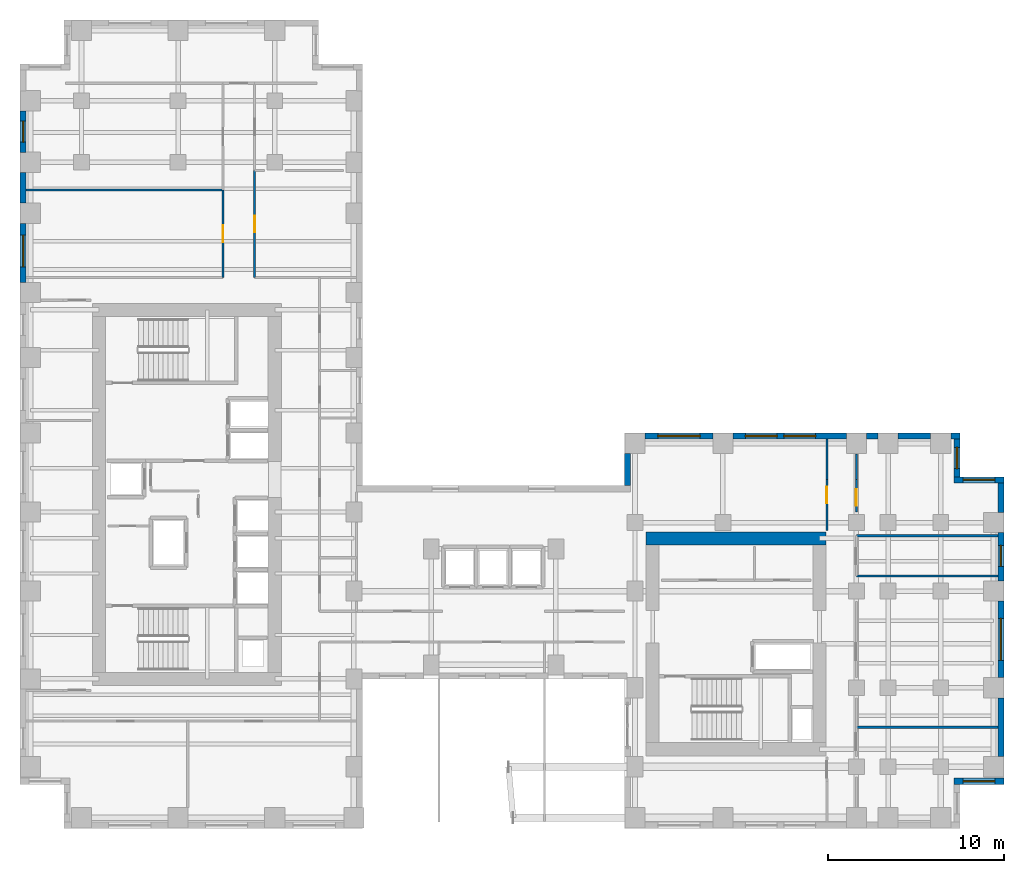
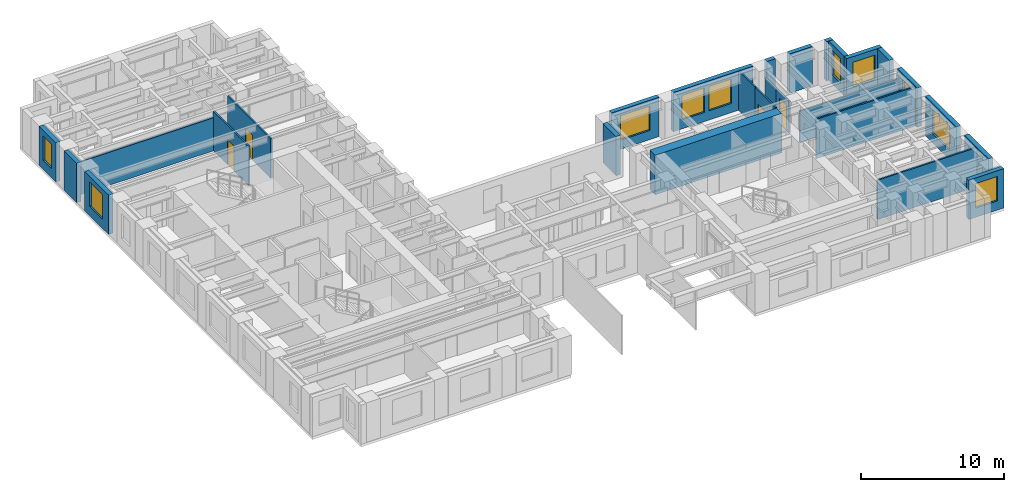
# One storey, part 11 of 14: 27 walls, 10 windows, 4 doors, 14 openings.
"""IFC4 building model written with IfcOpenShell, lengths in metres."""

import ifcopenshell
import ifcopenshell.guid

model = None  # the IFC model being written
_history = None  # IfcOwnerHistory: only IFC2X3 demands one
_inside = {}  # id of a spatial element -> (the spatial element, [elements in it])
_under = {}  # id of a project, library or spatial element -> (it, [spatial elements below it])
_declared = {}  # id of a project -> (the project, [libraries it declares])
_typed = {}  # id of a type object -> (the type object, [elements of that type])
_made_of = {}  # id of a material, layer set ... -> (it, [elements and type objects made of it])


def new_model(schema):
    """Start an empty IFC model of exactly this schema.

    Asked for "IFC4X3", IfcOpenShell would pick the latest addendum, in which some entities
    have other attributes; the version numbers below select the first issue.
    IFC2X3 requires an IfcOwnerHistory on every rooted entity: one is made here for all.
    """
    global model, _history
    if schema == "IFC4X3":
        model = ifcopenshell.file(schema_version=(4, 3, 0, 0))
    else:
        model = ifcopenshell.file(schema=schema)
    _inside.clear()
    _under.clear()
    _declared.clear()
    _typed.clear()
    _made_of.clear()
    _history = None
    if model.schema == "IFC2X3":
        org = make("IfcOrganization", Name="unknown")
        user = make(
            "IfcPersonAndOrganization",
            ThePerson=make("IfcPerson", FamilyName="unknown"),
            TheOrganization=org,
        )
        app = make(
            "IfcApplication",
            ApplicationDeveloper=org,
            Version="unknown",
            ApplicationFullName="unknown",
            ApplicationIdentifier="unknown",
        )
        _history = make(
            "IfcOwnerHistory",
            OwningUser=user,
            OwningApplication=app,
            ChangeAction="ADDED",
            CreationDate=0,
        )
    return model


def make(cls, **values):
    """One entity of the class cls with the attributes given. An attribute that is None is left unset."""
    return model.create_entity(
        cls, **{name: value for name, value in values.items() if value is not None}
    )


def rooted(cls, **values):
    """An entity with a GlobalId (a new one), such as an element, a storey or a relation."""
    return make(cls, GlobalId=ifcopenshell.guid.new(), OwnerHistory=_history, **values)


def si_unit(unit_type, name, prefix=None):
    """IfcSIUnit, for example si_unit("LENGTHUNIT", "METRE", prefix="MILLI")."""
    return make("IfcSIUnit", UnitType=unit_type, Prefix=prefix, Name=name)


def assignment(units):
    """IfcUnitAssignment: the units of a project."""
    return None if units is None else make("IfcUnitAssignment", Units=units)


def point(xyz):
    """IfcCartesianPoint."""
    return None if xyz is None else make("IfcCartesianPoint", Coordinates=xyz)


def direction(xyz):
    """IfcDirection."""
    return None if xyz is None else make("IfcDirection", DirectionRatios=xyz)


def frame(location, z_axis=None, x_axis=None):
    """IfcAxis2Placement3D, a coordinate frame: its origin and axes. An axis left out is left unset."""
    return make(
        "IfcAxis2Placement3D",
        Location=point(location),
        Axis=direction(z_axis),
        RefDirection=direction(x_axis),
    )


def frame_2d(location, x_axis=None):
    """IfcAxis2Placement2D, a coordinate frame in the plane: its origin and x axis."""
    return make(
        "IfcAxis2Placement2D", Location=point(location), RefDirection=direction(x_axis)
    )


def origin():
    """The frame at (0, 0, 0) with its axes left unset."""
    return frame((0.0, 0.0, 0.0))


def place(relative_to, where):
    """IfcLocalPlacement: puts the frame where relative to a parent placement (None: the world)."""
    return make(
        "IfcLocalPlacement", PlacementRelTo=relative_to, RelativePlacement=where
    )


def context(
    kind, dimensions, precision=None, world=None, true_north=None, identifier=None
):
    """IfcGeometricRepresentationContext, for example the 3D "Model" context."""
    return make(
        "IfcGeometricRepresentationContext",
        ContextIdentifier=identifier,
        ContextType=kind,
        CoordinateSpaceDimension=dimensions,
        Precision=precision,
        WorldCoordinateSystem=world,
        TrueNorth=true_north,
    )


def subcontext(parent, identifier, kind, view, scale=None):
    """IfcGeometricRepresentationSubContext, for example "Body" below "Model"."""
    return make(
        "IfcGeometricRepresentationSubContext",
        ContextIdentifier=identifier,
        ContextType=kind,
        ParentContext=parent,
        TargetScale=scale,
        TargetView=view,
    )


def project(units=None, contexts=None):
    """IfcProject with its units and contexts."""
    return rooted(
        "IfcProject",
        Name="project",
        RepresentationContexts=contexts,
        UnitsInContext=assignment(units),
    )


def spatial(cls, under=None, at=None, **own):
    """A site, building, storey or space (cls), placed at a placement, below another one or the project."""
    s = rooted(cls, ObjectPlacement=at, **own)
    if under is not None:
        _under.setdefault(under.id(), (under, []))[1].append(s)
    return s


def profile(cls, at=None, kind="AREA", **sizes):
    """A parametric profile (cls). Its sizes go by their IFC names, for example OverallWidth=200.0."""
    return make(cls, ProfileType=kind, Position=at, **sizes)


def rectangle(**sizes):
    """IfcRectangleProfileDef."""
    return profile("IfcRectangleProfileDef", **sizes)


def extrude(swept, where, along, depth):
    """IfcExtrudedAreaSolid: the profile swept, set in the frame where, extruded along a direction by depth."""
    return make(
        "IfcExtrudedAreaSolid",
        SweptArea=swept,
        Position=where,
        ExtrudedDirection=direction(along),
        Depth=depth,
    )


def shape(context_of_items, identifier, shape_type, items):
    """IfcShapeRepresentation: the items that make up one representation, for example the "Body"."""
    return make(
        "IfcShapeRepresentation",
        ContextOfItems=context_of_items,
        RepresentationIdentifier=identifier,
        RepresentationType=shape_type,
        Items=items,
    )


def source(mapping_origin, context_of_items, identifier, shape_type, items):
    """IfcRepresentationMap: a shape defined once, which mapped items show again and again."""
    return make(
        "IfcRepresentationMap",
        MappingOrigin=mapping_origin,
        MappedRepresentation=shape(context_of_items, identifier, shape_type, items),
    )


def transform(
    local_origin,
    x_axis=None,
    y_axis=None,
    z_axis=None,
    scale=None,
    scale2=None,
    scale3=None,
    uniform=True,
):
    """IfcCartesianTransformationOperator3D, or its non-uniform kind. x_axis, y_axis, z_axis: its Axis1, 2, 3."""
    if uniform:
        return make(
            "IfcCartesianTransformationOperator3D",
            Axis1=direction(x_axis),
            Axis2=direction(y_axis),
            LocalOrigin=point(local_origin),
            Scale=scale,
            Axis3=direction(z_axis),
        )
    return make(
        "IfcCartesianTransformationOperator3DnonUniform",
        Axis1=direction(x_axis),
        Axis2=direction(y_axis),
        LocalOrigin=point(local_origin),
        Scale=scale,
        Axis3=direction(z_axis),
        Scale2=scale2,
        Scale3=scale3,
    )


def mapped(mapping_source, mapping_target):
    """IfcMappedItem: shows the shape of a source again, moved by a transform."""
    return make(
        "IfcMappedItem", MappingSource=mapping_source, MappingTarget=mapping_target
    )


def material(Name=None, Category=None):
    """IfcMaterial."""
    return make("IfcMaterial", Name=Name, Category=Category)


def layer(
    of_material, thickness, ventilated=None, Name=None, Category=None, Priority=None
):
    """IfcMaterialLayer: one layer of a wall or slab, of a material (None: an air gap)."""
    return make(
        "IfcMaterialLayer",
        Material=of_material,
        LayerThickness=thickness,
        IsVentilated=ventilated,
        Name=Name,
        Category=Category,
        Priority=Priority,
    )


def layer_set(layers, Name=None):
    """IfcMaterialLayerSet."""
    return make("IfcMaterialLayerSet", MaterialLayers=layers, LayerSetName=Name)


def made_of(thing, what):
    """Note that an element or type object is made of a material, layer set ...; save() writes the relation."""
    if what is not None:
        _made_of.setdefault(what.id(), (what, []))[1].append(thing)
    return thing


def type_object(cls, material=None, **own):
    """A type object (cls), such as IfcWallType, which elements share."""
    return made_of(rooted(cls, **own), material)


def element(
    cls,
    number,
    at=None,
    inside=None,
    cuts=None,
    type_object=None,
    material=None,
    context=None,
    identifier="Body",
    shape_type=None,
    held_by="IfcProductDefinitionShape",
    body=None,
    shapes=None,
    **own,
):
    """One element of the class cls, such as IfcWall. Its Tag is "e" and its number.

    at: its placement. inside: the storey or other place that contains it. cuts: it is an
    opening in that element (IfcRelVoidsElement). A single representation is given by context,
    identifier, shape_type and body (its items); several are given by shapes. held_by: the class
    of the entity that holds the representations. save() writes the other relations.
    """
    e = rooted(cls, Tag="e%d" % number, ObjectPlacement=at, **own)
    if body is not None:
        shapes = [shape(context, identifier, shape_type, body)]
    if shapes is not None:
        e.Representation = make(held_by, Representations=shapes)
    if inside is not None:
        _inside.setdefault(inside.id(), (inside, []))[1].append(e)
    if cuts is not None:
        rooted(
            "IfcRelVoidsElement", RelatingBuildingElement=cuts, RelatedOpeningElement=e
        )
    if type_object is not None:
        _typed.setdefault(type_object.id(), (type_object, []))[1].append(e)
    return made_of(e, material)


def fill(opening, filler):
    """IfcRelFillsElement: the door or window that sits in an opening."""
    return rooted(
        "IfcRelFillsElement",
        RelatingOpeningElement=opening,
        RelatedBuildingElement=filler,
    )


def aggregate(whole, parts):
    """IfcRelAggregates: a whole, such as a stair, and the parts it consists of."""
    return rooted("IfcRelAggregates", RelatingObject=whole, RelatedObjects=parts)


def save(model, path):
    """Write the relations noted so far, then the file.

    IfcRelAggregates (storeys below a building ...), IfcRelContainedInSpatialStructure (elements
    in a storey), IfcRelDefinesByType, IfcRelAssociatesMaterial and IfcRelDeclares: one each for
    every whole, place, type object, material and project.
    """
    for whole, parts in _under.values():
        aggregate(whole, parts)
    for where, things in _inside.values():
        rooted(
            "IfcRelContainedInSpatialStructure",
            RelatedElements=things,
            RelatingStructure=where,
        )
    for kind, things in _typed.values():
        rooted("IfcRelDefinesByType", RelatedObjects=things, RelatingType=kind)
    for what, things in _made_of.values():
        rooted("IfcRelAssociatesMaterial", RelatedObjects=things, RelatingMaterial=what)
    for by, libraries in _declared.values():
        rooted("IfcRelDeclares", RelatingContext=by, RelatedDefinitions=libraries)
    model.write(path)


model = new_model("IFC4")

# Units and contexts
model_context = context("Model", 3, precision=1e-05, world=origin(), true_north=direction((0.0, 1.0)))
body_context = subcontext(model_context, "Body", "Model", "MODEL_VIEW")
ifc_project = project(units=[si_unit("LENGTHUNIT", "METRE"), si_unit("AREAUNIT", "SQUARE_METRE"), si_unit("VOLUMEUNIT", "CUBIC_METRE"), si_unit("PLANEANGLEUNIT", "RADIAN"), si_unit("MASSUNIT", "GRAM", prefix="KILO")], contexts=[model_context])

# Site, building, storey
site_placement = place(None, origin())
site = spatial("IfcSite", under=ifc_project, at=site_placement, CompositionType="ELEMENT")
building_placement = place(site_placement, origin())
building = spatial("IfcBuilding", under=site, at=building_placement, Name="Kharzan Plaza Tower", CompositionType="ELEMENT")
storey_placement = place(building_placement, frame((0.0, 0.0, 88.199951171875)))
storey = spatial("IfcBuildingStorey", under=building, at=storey_placement, Name="L23", CompositionType="ELEMENT", Elevation=88.199951171875)

# Wall, opening, window
ifc_material_1 = material(Name="Concrete C40/50", Category="concrete")
ifc_layer_1 = layer(ifc_material_1, 0.35009765625)
ifc_layer_set_1 = layer_set([ifc_layer_1], Name="Concrete C40/50")
wall_type_1 = type_object("IfcWallType", Name="WL-EXT-MAS-Z2", PredefinedType="SOLIDWALL", material=ifc_layer_set_1)
wall_1_placement = place(storey_placement, frame((0.175048828125, 40.826904296875, 0.0), z_axis=(0.0, 0.0, 1.0), x_axis=(0.0, -1.0, 0.0)))
wall_1 = element("IfcWall", 1, at=wall_1_placement, inside=storey, type_object=wall_type_1, Name="L23 Masonry-Frame Exterior Wall 17", PredefinedType="SOLIDWALL", context=body_context, shape_type="SweptSolid", body=[
    extrude(rectangle(XDim=2.35400390625, YDim=0.35009765625, at=frame_2d((1.177001953125, 0.0))), origin(), (0.0, 0.0, 1.0), 3.364990234375),
])
opening_1_placement = place(wall_1_placement, frame((0.576904296875, 0.0, 0.780029296875)))
opening_1 = element("IfcOpeningElement", 2, at=opening_1_placement, cuts=wall_1, Name="Opening W3", PredefinedType="OPENING", context=body_context, shape_type="SweptSolid", body=[
    extrude(rectangle(XDim=1.199951171875, YDim=2.10009765625, at=frame_2d((0.60009765625, 1.050048828125))), frame((0.0, 0.18505859375, 0.0), z_axis=(0.0, -1.0, 0.0), x_axis=(1.0, 0.0, 0.0)), (0.0, 0.0, 1.0), 0.3701171875),
])
ifc_material_2 = material(Name="Low-E Double Glazing", Category="glass")
window_type_1 = type_object("IfcWindowType", Name="WN-REC-1200x2100", PartitioningType="SINGLE_PANEL", PredefinedType="WINDOW", material=ifc_material_2)
shared_shape_1 = source(origin(), body_context, "Body", "SweptSolid", [
    extrude(rectangle(XDim=1.199951171875, YDim=2.10009765625, at=frame_2d((0.60009765625, 1.050048828125))), frame((0.0, 0.030029296875, 0.0), z_axis=(0.0, -1.0, 0.0), x_axis=(1.0, 0.0, 0.0)), (0.0, 0.0, 1.0), 0.06005859375),
])
window_1_placement = place(opening_1_placement, origin())
window_1 = element("IfcWindow", 3, at=window_1_placement, inside=storey, type_object=window_type_1, Name="L23 Recessed Solar-Control Window 17-1", OverallHeight=2.10009765625, OverallWidth=1.199951171875, PartitioningType="SINGLE_PANEL", PredefinedType="WINDOW", context=body_context, shape_type="MappedRepresentation", body=[
    mapped(shared_shape_1, transform((0.0, 0.0, 0.0), x_axis=(1.0, 0.0, 0.0), y_axis=(0.0, 1.0, 0.0), z_axis=(0.0, 0.0, 1.0))),
])
fill(opening_1, window_1)

wall_2_placement = place(storey_placement, frame((0.175048828125, 34.427001953125, 0.0), z_axis=(0.0, 0.0, 1.0), x_axis=(0.0, -1.0, 0.0)))
wall_2 = element("IfcWall", 4, at=wall_2_placement, inside=storey, type_object=wall_type_1, Name="L23 Masonry-Frame Exterior Wall 19", PredefinedType="SOLIDWALL", context=body_context, shape_type="SweptSolid", body=[
    extrude(rectangle(XDim=3.35400390625, YDim=0.35009765625, at=frame_2d((1.677001953125, 0.0))), origin(), (0.0, 0.0, 1.0), 3.364990234375),
])
opening_2_placement = place(wall_2_placement, frame((0.673583984375, 0.0, 0.780029296875)))
opening_2 = element("IfcOpeningElement", 5, at=opening_2_placement, cuts=wall_2, Name="Opening W1", PredefinedType="OPENING", context=body_context, shape_type="SweptSolid", body=[
    extrude(rectangle(XDim=1.800048828125, YDim=2.10009765625, at=frame_2d((0.89990234375, 1.050048828125))), frame((0.0, 0.18505859375, 0.0), z_axis=(0.0, -1.0, 0.0), x_axis=(1.0, 0.0, 0.0)), (0.0, 0.0, 1.0), 0.3701171875),
])
window_type_2 = type_object("IfcWindowType", Name="WN-REC-1800x2100", PartitioningType="SINGLE_PANEL", PredefinedType="WINDOW", material=ifc_material_2)
shared_shape_2 = source(origin(), body_context, "Body", "SweptSolid", [
    extrude(rectangle(XDim=1.800048828125, YDim=2.10009765625, at=frame_2d((0.89990234375, 1.050048828125))), frame((0.0, 0.030029296875, 0.0), z_axis=(0.0, -1.0, 0.0), x_axis=(1.0, 0.0, 0.0)), (0.0, 0.0, 1.0), 0.06005859375),
])
window_2_placement = place(opening_2_placement, origin())
window_2 = element("IfcWindow", 6, at=window_2_placement, inside=storey, type_object=window_type_2, Name="L23 Recessed Solar-Control Window 19-1", OverallHeight=2.10009765625, OverallWidth=1.800048828125, PartitioningType="SINGLE_PANEL", PredefinedType="WINDOW", context=body_context, shape_type="MappedRepresentation", body=[
    mapped(shared_shape_2, transform((0.0, 0.0, 0.0), x_axis=(1.0, 0.0, 0.0), y_axis=(0.0, 1.0, 0.0), z_axis=(0.0, 0.0, 1.0))),
])
fill(opening_2, window_2)

wall_3_placement = place(storey_placement, frame((53.14990234375, 2.675048828125, 0.0), z_axis=(0.0, 0.0, 1.0), x_axis=(1.0, 0.0, 0.0)))
wall_3 = element("IfcWall", 7, at=wall_3_placement, inside=storey, type_object=wall_type_1, Name="L23 Masonry-Frame Exterior Wall 46", PredefinedType="SOLIDWALL", context=body_context, shape_type="SweptSolid", body=[
    extrude(rectangle(XDim=2.85009765625, YDim=0.35009765625, at=frame_2d((1.425048828125, 0.0))), origin(), (0.0, 0.0, 1.0), 3.364990234375),
])
opening_3_placement = place(wall_3_placement, frame((0.52490234375, 0.0, 0.780029296875)))
opening_3 = element("IfcOpeningElement", 8, at=opening_3_placement, cuts=wall_3, Name="Opening W1", PredefinedType="OPENING", context=body_context, shape_type="SweptSolid", body=[
    extrude(rectangle(XDim=1.800048828125, YDim=2.10009765625, at=frame_2d((0.89990234375, 1.050048828125))), frame((0.0, 0.18505859375, 0.0), z_axis=(0.0, -1.0, 0.0), x_axis=(1.0, 0.0, 0.0)), (0.0, 0.0, 1.0), 0.3701171875),
])
window_3_placement = place(opening_3_placement, origin())
window_3 = element("IfcWindow", 9, at=window_3_placement, inside=storey, type_object=window_type_2, Name="L23 Recessed Solar-Control Window 46-1", OverallHeight=2.10009765625, OverallWidth=1.800048828125, PartitioningType="SINGLE_PANEL", PredefinedType="WINDOW", context=body_context, shape_type="MappedRepresentation", body=[
    mapped(shared_shape_2, transform((0.0, 0.0, 0.0), x_axis=(1.0, 0.0, 0.0), y_axis=(0.0, 1.0, 0.0), z_axis=(0.0, 0.0, 1.0))),
])
fill(opening_3, window_3)

wall_4_placement = place(storey_placement, frame((55.824951171875, 8.572998046875, 0.0), z_axis=(0.0, 0.0, 1.0), x_axis=(0.0, 1.0, 0.0)))
wall_4 = element("IfcWall", 10, at=wall_4_placement, inside=storey, type_object=wall_type_1, Name="L23 Masonry-Frame Exterior Wall 48", PredefinedType="SOLIDWALL", context=body_context, shape_type="SweptSolid", body=[
    extrude(rectangle(XDim=4.35400390625, YDim=0.35009765625, at=frame_2d((2.177001953125, 0.0))), origin(), (0.0, 0.0, 1.0), 3.364990234375),
])
opening_4_placement = place(wall_4_placement, frame((0.97705078125, 0.0, 0.780029296875)))
opening_4 = element("IfcOpeningElement", 11, at=opening_4_placement, cuts=wall_4, Name="Opening W2", PredefinedType="OPENING", context=body_context, shape_type="SweptSolid", body=[
    extrude(rectangle(XDim=2.39990234375, YDim=2.10009765625, at=frame_2d((1.199951171875, 1.050048828125))), frame((0.0, 0.18505859375, 0.0), z_axis=(0.0, -1.0, 0.0), x_axis=(1.0, 0.0, 0.0)), (0.0, 0.0, 1.0), 0.3701171875),
])
window_type_3 = type_object("IfcWindowType", Name="WN-REC-2400x2100", PartitioningType="SINGLE_PANEL", PredefinedType="WINDOW", material=ifc_material_2)
shared_shape_3 = source(origin(), body_context, "Body", "SweptSolid", [
    extrude(rectangle(XDim=2.39990234375, YDim=2.10009765625, at=frame_2d((1.199951171875, 1.050048828125))), frame((0.0, 0.030029296875, 0.0), z_axis=(0.0, -1.0, 0.0), x_axis=(1.0, 0.0, 0.0)), (0.0, 0.0, 1.0), 0.06005859375),
])
window_4_placement = place(opening_4_placement, origin())
window_4 = element("IfcWindow", 12, at=window_4_placement, inside=storey, type_object=window_type_3, Name="L23 Wide Recessed Solar-Control Window 48-1", OverallHeight=2.10009765625, OverallWidth=2.39990234375, PartitioningType="SINGLE_PANEL", PredefinedType="WINDOW", context=body_context, shape_type="MappedRepresentation", body=[
    mapped(shared_shape_3, transform((0.0, 0.0, 0.0), x_axis=(1.0, 0.0, 0.0), y_axis=(0.0, 1.0, 0.0), z_axis=(0.0, 0.0, 1.0))),
])
fill(opening_4, window_4)

wall_5_placement = place(storey_placement, frame((55.824951171875, 14.072998046875, 0.0), z_axis=(0.0, 0.0, 1.0), x_axis=(0.0, 1.0, 0.0)))
wall_5 = element("IfcWall", 13, at=wall_5_placement, inside=storey, type_object=wall_type_1, Name="L23 Masonry-Frame Exterior Wall 49", PredefinedType="SOLIDWALL", context=body_context, shape_type="SweptSolid", body=[
    extrude(rectangle(XDim=2.75390625, YDim=0.35009765625, at=frame_2d((1.376953125, 0.0))), origin(), (0.0, 0.0, 1.0), 3.364990234375),
])
opening_5_placement = place(wall_5_placement, frame((0.826904296875, 0.0, 0.780029296875)))
opening_5 = element("IfcOpeningElement", 14, at=opening_5_placement, cuts=wall_5, Name="Opening W3", PredefinedType="OPENING", context=body_context, shape_type="SweptSolid", body=[
    extrude(rectangle(XDim=1.199951171875, YDim=2.10009765625, at=frame_2d((0.60009765625, 1.050048828125))), frame((0.0, 0.18505859375, 0.0), z_axis=(0.0, -1.0, 0.0), x_axis=(1.0, 0.0, 0.0)), (0.0, 0.0, 1.0), 0.3701171875),
])
window_5_placement = place(opening_5_placement, origin())
window_5 = element("IfcWindow", 15, at=window_5_placement, inside=storey, type_object=window_type_1, Name="L23 Recessed Solar-Control Window 49-1", OverallHeight=2.10009765625, OverallWidth=1.199951171875, PartitioningType="SINGLE_PANEL", PredefinedType="WINDOW", context=body_context, shape_type="MappedRepresentation", body=[
    mapped(shared_shape_1, transform((0.0, 0.0, 0.0), x_axis=(1.0, 0.0, 0.0), y_axis=(0.0, 1.0, 0.0), z_axis=(0.0, 0.0, 1.0))),
])
fill(opening_5, window_5)

wall_6_placement = place(storey_placement, frame((56.0, 19.824951171875, 0.0), z_axis=(0.0, 0.0, 1.0), x_axis=(-1.0, 0.0, 0.0)))
wall_6 = element("IfcWall", 16, at=wall_6_placement, inside=storey, type_object=wall_type_1, Name="L23 Masonry-Frame Exterior Wall 51", PredefinedType="SOLIDWALL", context=body_context, shape_type="SweptSolid", body=[
    extrude(rectangle(XDim=2.85009765625, YDim=0.35009765625, at=frame_2d((1.425048828125, 0.0))), origin(), (0.0, 0.0, 1.0), 3.364990234375),
])
opening_6_placement = place(wall_6_placement, frame((0.52490234375, 0.0, 0.780029296875)))
opening_6 = element("IfcOpeningElement", 17, at=opening_6_placement, cuts=wall_6, Name="Opening W1", PredefinedType="OPENING", context=body_context, shape_type="SweptSolid", body=[
    extrude(rectangle(XDim=1.800048828125, YDim=2.10009765625, at=frame_2d((0.89990234375, 1.050048828125))), frame((0.0, 0.18505859375, 0.0), z_axis=(0.0, -1.0, 0.0), x_axis=(1.0, 0.0, 0.0)), (0.0, 0.0, 1.0), 0.3701171875),
])
window_6_placement = place(opening_6_placement, origin())
window_6 = element("IfcWindow", 18, at=window_6_placement, inside=storey, type_object=window_type_2, Name="L23 Recessed Solar-Control Window 51-1", OverallHeight=2.10009765625, OverallWidth=1.800048828125, PartitioningType="SINGLE_PANEL", PredefinedType="WINDOW", context=body_context, shape_type="MappedRepresentation", body=[
    mapped(shared_shape_2, transform((0.0, 0.0, 0.0), x_axis=(1.0, 0.0, 0.0), y_axis=(0.0, 1.0, 0.0), z_axis=(0.0, 0.0, 1.0))),
])
fill(opening_6, window_6)

wall_7_placement = place(storey_placement, frame((53.324951171875, 19.998046875, 0.0), z_axis=(0.0, 0.0, 1.0), x_axis=(0.0, 1.0, 0.0)))
wall_7 = element("IfcWall", 19, at=wall_7_placement, inside=storey, type_object=wall_type_1, Name="L23 Masonry-Frame Exterior Wall 52", PredefinedType="SOLIDWALL", context=body_context, shape_type="SweptSolid", body=[
    extrude(rectangle(XDim=2.154052734375, YDim=0.35009765625, at=frame_2d((1.0771484375, 0.0))), origin(), (0.0, 0.0, 1.0), 3.364990234375),
])
opening_7_placement = place(wall_7_placement, frame((0.47705078125, 0.0, 0.780029296875)))
opening_7 = element("IfcOpeningElement", 20, at=opening_7_placement, cuts=wall_7, Name="Opening W3", PredefinedType="OPENING", context=body_context, shape_type="SweptSolid", body=[
    extrude(rectangle(XDim=1.199951171875, YDim=2.10009765625, at=frame_2d((0.60009765625, 1.050048828125))), frame((0.0, 0.18505859375, 0.0), z_axis=(0.0, -1.0, 0.0), x_axis=(1.0, 0.0, 0.0)), (0.0, 0.0, 1.0), 0.3701171875),
])
window_7_placement = place(opening_7_placement, origin())
window_7 = element("IfcWindow", 21, at=window_7_placement, inside=storey, type_object=window_type_1, Name="L23 Recessed Solar-Control Window 52-1", OverallHeight=2.10009765625, OverallWidth=1.199951171875, PartitioningType="SINGLE_PANEL", PredefinedType="WINDOW", context=body_context, shape_type="MappedRepresentation", body=[
    mapped(shared_shape_1, transform((0.0, 0.0, 0.0), x_axis=(1.0, 0.0, 0.0), y_axis=(0.0, 1.0, 0.0), z_axis=(0.0, 0.0, 1.0))),
])
fill(opening_7, window_7)

# Wall, openings, windows
wall_8_placement = place(storey_placement, frame((47.027099609375, 22.324951171875, 0.0), z_axis=(0.0, 0.0, 1.0), x_axis=(-1.0, 0.0, 0.0)))
wall_8 = element("IfcWall", 22, at=wall_8_placement, inside=storey, type_object=wall_type_1, Name="L23 Masonry-Frame Exterior Wall 56", PredefinedType="SOLIDWALL", context=body_context, shape_type="SweptSolid", body=[
    extrude(rectangle(XDim=6.4541015625, YDim=0.35009765625, at=frame_2d((3.22705078125, 0.0))), origin(), (0.0, 0.0, 1.0), 3.364990234375),
])
opening_8_placement = place(wall_8_placement, frame((1.749267578125, 0.0, 0.780029296875)))
opening_8 = element("IfcOpeningElement", 23, at=opening_8_placement, cuts=wall_8, Name="Opening W1", PredefinedType="OPENING", context=body_context, shape_type="SweptSolid", body=[
    extrude(rectangle(XDim=1.800048828125, YDim=2.10009765625, at=frame_2d((0.89990234375, 1.050048828125))), frame((0.0, 0.18505859375, 0.0), z_axis=(0.0, -1.0, 0.0), x_axis=(1.0, 0.0, 0.0)), (0.0, 0.0, 1.0), 0.3701171875),
])
opening_9_placement = place(wall_8_placement, frame((3.941650390625, 0.0, 0.780029296875)))
opening_9 = element("IfcOpeningElement", 24, at=opening_9_placement, cuts=wall_8, Name="Opening W1", PredefinedType="OPENING", context=body_context, shape_type="SweptSolid", body=[
    extrude(rectangle(XDim=1.800048828125, YDim=2.10009765625, at=frame_2d((0.89990234375, 1.050048828125))), frame((0.0, 0.18505859375, 0.0), z_axis=(0.0, -1.0, 0.0), x_axis=(1.0, 0.0, 0.0)), (0.0, 0.0, 1.0), 0.3701171875),
])
window_8_placement = place(opening_8_placement, origin())
window_8 = element("IfcWindow", 25, at=window_8_placement, inside=storey, type_object=window_type_2, Name="L23 Recessed Solar-Control Window 56-1", OverallHeight=2.10009765625, OverallWidth=1.800048828125, PartitioningType="SINGLE_PANEL", PredefinedType="WINDOW", context=body_context, shape_type="MappedRepresentation", body=[
    mapped(shared_shape_2, transform((0.0, 0.0, 0.0), x_axis=(1.0, 0.0, 0.0), y_axis=(0.0, 1.0, 0.0), z_axis=(0.0, 0.0, 1.0))),
])
fill(opening_8, window_8)
window_9_placement = place(opening_9_placement, origin())
window_9 = element("IfcWindow", 26, at=window_9_placement, inside=storey, type_object=window_type_2, Name="L23 Recessed Solar-Control Window 56-2", OverallHeight=2.10009765625, OverallWidth=1.800048828125, PartitioningType="SINGLE_PANEL", PredefinedType="WINDOW", context=body_context, shape_type="MappedRepresentation", body=[
    mapped(shared_shape_2, transform((0.0, 0.0, 0.0), x_axis=(1.0, 0.0, 0.0), y_axis=(0.0, 1.0, 0.0), z_axis=(0.0, 0.0, 1.0))),
])
fill(opening_9, window_9)

# Wall, opening, window
wall_9_placement = place(storey_placement, frame((39.427001953125, 22.324951171875, 0.0), z_axis=(0.0, 0.0, 1.0), x_axis=(-1.0, 0.0, 0.0)))
wall_9 = element("IfcWall", 27, at=wall_9_placement, inside=storey, type_object=wall_type_1, Name="L23 Masonry-Frame Exterior Wall 57", PredefinedType="SOLIDWALL", context=body_context, shape_type="SweptSolid", body=[
    extrude(rectangle(XDim=3.85400390625, YDim=0.35009765625, at=frame_2d((1.927001953125, 0.0))), origin(), (0.0, 0.0, 1.0), 3.364990234375),
])
opening_10_placement = place(wall_9_placement, frame((0.72705078125, 0.0, 0.780029296875)))
opening_10 = element("IfcOpeningElement", 28, at=opening_10_placement, cuts=wall_9, Name="Opening W2", PredefinedType="OPENING", context=body_context, shape_type="SweptSolid", body=[
    extrude(rectangle(XDim=2.39990234375, YDim=2.10009765625, at=frame_2d((1.199951171875, 1.050048828125))), frame((0.0, 0.18505859375, 0.0), z_axis=(0.0, -1.0, 0.0), x_axis=(1.0, 0.0, 0.0)), (0.0, 0.0, 1.0), 0.3701171875),
])
window_10_placement = place(opening_10_placement, origin())
window_10 = element("IfcWindow", 29, at=window_10_placement, inside=storey, type_object=window_type_3, Name="L23 Wide Recessed Solar-Control Window 57-1", OverallHeight=2.10009765625, OverallWidth=2.39990234375, PartitioningType="SINGLE_PANEL", PredefinedType="WINDOW", context=body_context, shape_type="MappedRepresentation", body=[
    mapped(shared_shape_3, transform((0.0, 0.0, 0.0), x_axis=(1.0, 0.0, 0.0), y_axis=(0.0, 1.0, 0.0), z_axis=(0.0, 0.0, 1.0))),
])
fill(opening_10, window_10)

# Wall, opening, door
ifc_material_3 = material(Name="Fire-Rated Gypsum Board Partition", Category="gypsum")
ifc_layer_2 = layer(ifc_material_3, 0.125)
ifc_layer_set_2 = layer_set([ifc_layer_2], Name="Fire-Rated Gypsum Board Partition")
wall_type_2 = type_object("IfcWallType", Name="WL-INT-PART-125", PredefinedType="PARTITIONING", material=ifc_layer_set_2)
wall_10_placement = place(storey_placement, frame((47.60009765625, 17.989990234375, 0.0), z_axis=(0.0, 0.0, 1.0), x_axis=(0.0, 1.0, 0.0)))
wall_10 = element("IfcWall", 30, at=wall_10_placement, inside=storey, type_object=wall_type_2, Name="L23 Interior Partition SH-B3W2", PredefinedType="PARTITIONING", context=body_context, shape_type="SweptSolid", body=[
    extrude(rectangle(XDim=1.860107421875, YDim=0.125, at=frame_2d((0.93017578125, 0.0))), origin(), (0.0, 0.0, 1.0), 2.677001953125),
])
opening_11_placement = place(wall_10_placement, frame((0.36328125, 0.0, 0.0)))
opening_11 = element("IfcOpeningElement", 31, at=opening_11_placement, cuts=wall_10, Name="Opening OD1", PredefinedType="OPENING", context=body_context, shape_type="SweptSolid", body=[
    extrude(rectangle(XDim=0.949951171875, YDim=2.14990234375, at=frame_2d((0.47509765625, 1.074951171875))), frame((0.0, 0.072509765625, 0.0), z_axis=(0.0, -1.0, 0.0), x_axis=(1.0, 0.0, 0.0)), (0.0, 0.0, 1.0), 0.14501953125),
])
ifc_material_4 = material(Name="Acoustic Solid-Core Stained Oak", Category="timber")
door_type = type_object("IfcDoorType", Name="DR-OFF-SINGLE", OperationType="NOTDEFINED", PredefinedType="DOOR", material=ifc_material_4)
shared_shape_4 = source(origin(), body_context, "Body", "SweptSolid", [
    extrude(rectangle(XDim=0.949951171875, YDim=2.14990234375, at=frame_2d((0.47509765625, 1.074951171875))), frame((0.0, 0.02490234375, 0.0), z_axis=(0.0, -1.0, 0.0), x_axis=(1.0, 0.0, 0.0)), (0.0, 0.0, 1.0), 0.050048828125),
])
door_1_placement = place(opening_11_placement, origin())
door_1 = element("IfcDoor", 32, at=door_1_placement, inside=storey, type_object=door_type, Name="L23 Wing B Office 3 Door", OperationType="SINGLE_SWING_RIGHT", OverallHeight=2.14990234375, OverallWidth=0.949951171875, PredefinedType="DOOR", context=body_context, shape_type="MappedRepresentation", body=[
    mapped(shared_shape_4, transform((0.0, 0.0, 0.0), x_axis=(1.0, 0.0, 0.0), y_axis=(0.0, 1.0, 0.0), z_axis=(0.0, 0.0, 1.0))),
])
fill(opening_11, door_1)

wall_11_placement = place(storey_placement, frame((45.919921875, 16.949951171875, 0.0), z_axis=(0.0, 0.0, 1.0), x_axis=(0.0, 1.0, 0.0)))
wall_11 = element("IfcWall", 33, at=wall_11_placement, inside=storey, type_object=wall_type_2, Name="L23 Interior Partition SH-RBNE", PredefinedType="PARTITIONING", context=body_context, shape_type="SweptSolid", body=[
    extrude(rectangle(XDim=2.900146484375, YDim=0.125, at=frame_2d((1.4501953125, 0.0))), origin(), (0.0, 0.0, 1.0), 3.364990234375),
])
opening_12_placement = place(wall_11_placement, frame((1.54296875, 0.0, 0.0)))
opening_12 = element("IfcOpeningElement", 34, at=opening_12_placement, cuts=wall_11, Name="Opening OD1", PredefinedType="OPENING", context=body_context, shape_type="SweptSolid", body=[
    extrude(rectangle(XDim=0.949951171875, YDim=2.14990234375, at=frame_2d((0.47509765625, 1.074951171875))), frame((0.0, 0.072509765625, 0.0), z_axis=(0.0, -1.0, 0.0), x_axis=(1.0, 0.0, 0.0)), (0.0, 0.0, 1.0), 0.14501953125),
])
door_2_placement = place(opening_12_placement, origin())
door_2 = element("IfcDoor", 35, at=door_2_placement, inside=storey, type_object=door_type, Name="L23 Wing B North Studio Door", OperationType="SINGLE_SWING_RIGHT", OverallHeight=2.14990234375, OverallWidth=0.949951171875, PredefinedType="DOOR", context=body_context, shape_type="MappedRepresentation", body=[
    mapped(shared_shape_4, transform((0.0, 0.0, 0.0), x_axis=(1.0, 0.0, 0.0), y_axis=(0.0, 1.0, 0.0), z_axis=(0.0, 0.0, 1.0))),
])
fill(opening_12, door_2)

wall_12_placement = place(storey_placement, frame((13.35009765625, 31.35009765625, 0.0), z_axis=(0.0, 0.0, 1.0), x_axis=(0.0, 1.0, 0.0)))
wall_12 = element("IfcWall", 36, at=wall_12_placement, inside=storey, type_object=wall_type_2, Name="L23 Interior Partition SH-SPE-1", PredefinedType="PARTITIONING", context=body_context, shape_type="SweptSolid", body=[
    extrude(rectangle(XDim=6.077880859375, YDim=0.125, at=frame_2d((3.0390625, 0.0))), origin(), (0.0, 0.0, 1.0), 3.364990234375),
])
opening_13_placement = place(wall_12_placement, frame((2.56396484375, 0.0, 0.0)))
opening_13 = element("IfcOpeningElement", 37, at=opening_13_placement, cuts=wall_12, Name="Opening OD1", PredefinedType="OPENING", context=body_context, shape_type="SweptSolid", body=[
    extrude(rectangle(XDim=0.949951171875, YDim=2.14990234375, at=frame_2d((0.47509765625, 1.074951171875))), frame((0.0, 0.072509765625, 0.0), z_axis=(0.0, -1.0, 0.0), x_axis=(1.0, 0.0, 0.0)), (0.0, 0.0, 1.0), 0.14501953125),
])
door_3_placement = place(opening_13_placement, origin())
door_3 = element("IfcDoor", 38, at=door_3_placement, inside=storey, type_object=door_type, Name="L23 Executive Boardroom Door", OperationType="SINGLE_SWING_RIGHT", OverallHeight=2.14990234375, OverallWidth=0.949951171875, PredefinedType="DOOR", context=body_context, shape_type="MappedRepresentation", body=[
    mapped(shared_shape_4, transform((0.0, 0.0, 0.0), x_axis=(1.0, 0.0, 0.0), y_axis=(0.0, 1.0, 0.0), z_axis=(0.0, 0.0, 1.0))),
])
fill(opening_13, door_3)

wall_13_placement = place(storey_placement, frame((11.550048828125, 31.35009765625, 0.0), z_axis=(0.0, 0.0, 1.0), x_axis=(0.0, 1.0, 0.0)))
wall_13 = element("IfcWall", 39, at=wall_13_placement, inside=storey, type_object=wall_type_2, Name="L23 Interior Partition SH-SPW-1", PredefinedType="PARTITIONING", context=body_context, shape_type="SweptSolid", body=[
    extrude(rectangle(XDim=4.971923828125, YDim=0.125, at=frame_2d((2.48583984375, 0.0))), origin(), (0.0, 0.0, 1.0), 3.364990234375),
])
opening_14_placement = place(wall_13_placement, frame((2.010986328125, 0.0, 0.0)))
opening_14 = element("IfcOpeningElement", 40, at=opening_14_placement, cuts=wall_13, Name="Opening OD1", PredefinedType="OPENING", context=body_context, shape_type="SweptSolid", body=[
    extrude(rectangle(XDim=0.949951171875, YDim=2.14990234375, at=frame_2d((0.47509765625, 1.074951171875))), frame((0.0, 0.072509765625, 0.0), z_axis=(0.0, -1.0, 0.0), x_axis=(1.0, 0.0, 0.0)), (0.0, 0.0, 1.0), 0.14501953125),
])
door_4_placement = place(opening_14_placement, origin())
door_4 = element("IfcDoor", 41, at=door_4_placement, inside=storey, type_object=door_type, Name="L23 Executive Tea Pantry Door", OperationType="SINGLE_SWING_RIGHT", OverallHeight=2.14990234375, OverallWidth=0.949951171875, PredefinedType="DOOR", context=body_context, shape_type="MappedRepresentation", body=[
    mapped(shared_shape_4, transform((0.0, 0.0, 0.0), x_axis=(1.0, 0.0, 0.0), y_axis=(0.0, 1.0, 0.0), z_axis=(0.0, 0.0, 1.0))),
])
fill(opening_14, door_4)

# Walls
shared_shape_5 = source(origin(), body_context, "Body", "SweptSolid", [
    extrude(rectangle(XDim=2.2978515625, YDim=0.125, at=frame_2d((1.14892578125, 0.0))), origin(), (0.0, 0.0, 1.0), 3.364990234375),
])
wall_14_placement = place(storey_placement, frame((45.919921875, 19.85009765625, 0.0), z_axis=(0.0, 0.0, 1.0), x_axis=(0.0, 1.0, 0.0)))
element("IfcWall", 42, at=wall_14_placement, inside=storey, type_object=wall_type_2, Name="L23 Interior Partition SH-RBNE0", PredefinedType="PARTITIONING", context=body_context, shape_type="MappedRepresentation", body=[
    mapped(shared_shape_5, transform((0.0, 0.0, 0.0), x_axis=(1.0, 0.0, 0.0), y_axis=(0.0, 1.0, 0.0), z_axis=(0.0, 0.0, 1.0))),
])
ifc_material_5 = material(Name="Concrete C60/75", Category="concrete")
ifc_layer_3 = layer(ifc_material_5, 0.75)
ifc_layer_set_3 = layer_set([ifc_layer_3], Name="Concrete C60/75")
wall_type_3 = type_object("IfcWallType", Name="WL-CORE-750", PredefinedType="SHEAR", material=ifc_layer_set_3)
shared_shape_6 = source(origin(), body_context, "Body", "SweptSolid", [
    extrude(rectangle(XDim=10.25, YDim=0.75, at=frame_2d((5.125, 0.0))), origin(), (0.0, 0.0, 1.0), 3.380126953125),
])
wall_15_placement = place(storey_placement, frame((35.625, 16.5, 0.0), z_axis=(0.0, 0.0, 1.0), x_axis=(1.0, 0.0, 0.0)))
element("IfcWall", 43, at=wall_15_placement, inside=storey, type_object=wall_type_3, Name="L23 CORE-B north RC shear wall", PredefinedType="SHEAR", context=body_context, shape_type="MappedRepresentation", body=[
    mapped(shared_shape_6, transform((0.0, 0.0, 0.0), x_axis=(1.0, 0.0, 0.0), y_axis=(0.0, 1.0, 0.0), z_axis=(0.0, 0.0, 1.0))),
])
shared_shape_7 = source(origin(), body_context, "Body", "SweptSolid", [
    extrude(rectangle(XDim=1.75390625, YDim=0.35009765625, at=frame_2d((0.876953125, 0.0))), origin(), (0.0, 0.0, 1.0), 3.364990234375),
])
wall_16_placement = place(storey_placement, frame((0.175048828125, 37.326904296875, 0.0), z_axis=(0.0, 0.0, 1.0), x_axis=(0.0, -1.0, 0.0)))
element("IfcWall", 44, at=wall_16_placement, inside=storey, type_object=wall_type_1, Name="L23 Masonry-Frame Exterior Wall 18", PredefinedType="SOLIDWALL", context=body_context, shape_type="MappedRepresentation", body=[
    mapped(shared_shape_7, transform((0.0, 0.0, 0.0), x_axis=(1.0, 0.0, 0.0), y_axis=(0.0, 1.0, 0.0), z_axis=(0.0, 0.0, 1.0))),
])
shared_shape_8 = source(origin(), body_context, "Body", "SweptSolid", [
    extrude(rectangle(XDim=0.65380859375, YDim=0.35009765625, at=frame_2d((0.326904296875, 0.0))), origin(), (0.0, 0.0, 1.0), 3.364990234375),
])
wall_17_placement = place(storey_placement, frame((48.826904296875, 22.324951171875, 0.0), z_axis=(0.0, 0.0, 1.0), x_axis=(-1.0, 0.0, 0.0)))
element("IfcWall", 45, at=wall_17_placement, inside=storey, type_object=wall_type_1, Name="L23 Masonry-Frame Exterior Wall 55", PredefinedType="SOLIDWALL", context=body_context, shape_type="MappedRepresentation", body=[
    mapped(shared_shape_8, transform((0.0, 0.0, 0.0), x_axis=(1.0, 0.0, 0.0), y_axis=(0.0, 1.0, 0.0), z_axis=(0.0, 0.0, 1.0))),
])
shared_shape_9 = source(origin(), body_context, "Body", "SweptSolid", [
    extrude(rectangle(XDim=1.85400390625, YDim=0.35009765625, at=frame_2d((0.927001953125, 0.0))), origin(), (0.0, 0.0, 1.0), 3.364990234375),
])
wall_18_placement = place(storey_placement, frame((51.826904296875, 22.324951171875, 0.0), z_axis=(0.0, 0.0, 1.0), x_axis=(-1.0, 0.0, 0.0)))
element("IfcWall", 46, at=wall_18_placement, inside=storey, type_object=wall_type_1, Name="L23 Masonry-Frame Exterior Wall 54", PredefinedType="SOLIDWALL", context=body_context, shape_type="MappedRepresentation", body=[
    mapped(shared_shape_9, transform((0.0, 0.0, 0.0), x_axis=(1.0, 0.0, 0.0), y_axis=(0.0, 1.0, 0.0), z_axis=(0.0, 0.0, 1.0))),
])
shared_shape_10 = source(origin(), body_context, "Body", "SweptSolid", [
    extrude(rectangle(XDim=0.527099609375, YDim=0.35009765625, at=frame_2d((0.263671875, 0.0))), origin(), (0.0, 0.0, 1.0), 3.364990234375),
])
wall_19_placement = place(storey_placement, frame((53.5, 22.324951171875, 0.0), z_axis=(0.0, 0.0, 1.0), x_axis=(-1.0, 0.0, 0.0)))
element("IfcWall", 47, at=wall_19_placement, inside=storey, type_object=wall_type_1, Name="L23 Masonry-Frame Exterior Wall 53", PredefinedType="SOLIDWALL", context=body_context, shape_type="MappedRepresentation", body=[
    mapped(shared_shape_10, transform((0.0, 0.0, 0.0), x_axis=(1.0, 0.0, 0.0), y_axis=(0.0, 1.0, 0.0), z_axis=(0.0, 0.0, 1.0))),
])
shared_shape_11 = source(origin(), body_context, "Body", "SweptSolid", [
    extrude(rectangle(XDim=3.35400390625, YDim=0.35009765625, at=frame_2d((1.677001953125, 0.0))), origin(), (0.0, 0.0, 1.0), 3.364990234375),
])
wall_20_placement = place(storey_placement, frame((55.824951171875, 4.072998046875, 0.0), z_axis=(0.0, 0.0, 1.0), x_axis=(0.0, 1.0, 0.0)))
element("IfcWall", 48, at=wall_20_placement, inside=storey, type_object=wall_type_1, Name="L23 Masonry-Frame Exterior Wall 47", PredefinedType="SOLIDWALL", context=body_context, shape_type="MappedRepresentation", body=[
    mapped(shared_shape_11, transform((0.0, 0.0, 0.0), x_axis=(1.0, 0.0, 0.0), y_axis=(0.0, 1.0, 0.0), z_axis=(0.0, 0.0, 1.0))),
])
shared_shape_12 = source(origin(), body_context, "Body", "SweptSolid", [
    extrude(rectangle(XDim=1.67919921875, YDim=0.35009765625, at=frame_2d((0.839599609375, 0.0))), origin(), (0.0, 0.0, 1.0), 3.364990234375),
])
wall_21_placement = place(storey_placement, frame((55.824951171875, 17.972900390625, 0.0), z_axis=(0.0, 0.0, 1.0), x_axis=(0.0, 1.0, 0.0)))
element("IfcWall", 49, at=wall_21_placement, inside=storey, type_object=wall_type_1, Name="L23 Masonry-Frame Exterior Wall 50", PredefinedType="SOLIDWALL", context=body_context, shape_type="MappedRepresentation", body=[
    mapped(shared_shape_12, transform((0.0, 0.0, 0.0), x_axis=(1.0, 0.0, 0.0), y_axis=(0.0, 1.0, 0.0), z_axis=(0.0, 0.0, 1.0))),
])
shared_shape_13 = source(origin(), body_context, "Body", "SweptSolid", [
    extrude(rectangle(XDim=8.0478515625, YDim=0.125, at=frame_2d((4.02392578125, 0.0))), origin(), (0.0, 0.0, 1.0), 3.364990234375),
])
for number, where, z_axis, x_axis, name in (
    (50, (47.60009765625, 14.35009765625, 0.0), (0.0, 0.0, 1.0), (1.0, 0.0, 0.0), "L23 Interior Partition SH-B3H-143"),
    (51, (47.60009765625, 5.75, 0.0), (0.0, 0.0, 1.0), (1.0, 0.0, 0.0), "L23 Interior Partition SH-B3H-57"),
):
    element("IfcWall", number, at=place(storey_placement, frame(where, z_axis=z_axis, x_axis=x_axis)), inside=storey, type_object=wall_type_2, Name=name, PredefinedType="PARTITIONING", context=body_context, shape_type="MappedRepresentation", body=[
        mapped(shared_shape_13, transform((0.0, 0.0, 0.0), x_axis=(1.0, 0.0, 0.0), y_axis=(0.0, 1.0, 0.0), z_axis=(0.0, 0.0, 1.0))),
    ])
shared_shape_14 = source(origin(), body_context, "Body", "SweptSolid", [
    extrude(rectangle(XDim=1.4599609375, YDim=0.125, at=frame_2d((0.72998046875, 0.0))), origin(), (0.0, 0.0, 1.0), 2.677001953125),
])
wall_22_placement = place(storey_placement, frame((47.60009765625, 19.85009765625, 0.0), z_axis=(0.0, 0.0, 1.0), x_axis=(0.0, 1.0, 0.0)))
element("IfcWall", 52, at=wall_22_placement, inside=storey, type_object=wall_type_2, Name="L23 Interior Partition SH-B3W2N", PredefinedType="PARTITIONING", context=body_context, shape_type="MappedRepresentation", body=[
    mapped(shared_shape_14, transform((0.0, 0.0, 0.0), x_axis=(1.0, 0.0, 0.0), y_axis=(0.0, 1.0, 0.0), z_axis=(0.0, 0.0, 1.0))),
])
shared_shape_15 = source(origin(), body_context, "Body", "SweptSolid", [
    extrude(rectangle(XDim=8.0478515625, YDim=0.125, at=frame_2d((4.02392578125, 0.0))), origin(), (0.0, 0.0, 1.0), 2.677001953125),
])
wall_23_placement = place(storey_placement, frame((47.60009765625, 16.64990234375, 0.0), z_axis=(0.0, 0.0, 1.0), x_axis=(1.0, 0.0, 0.0)))
element("IfcWall", 53, at=wall_23_placement, inside=storey, type_object=wall_type_2, Name="L23 Interior Partition SH-B3H-166", PredefinedType="PARTITIONING", context=body_context, shape_type="MappedRepresentation", body=[
    mapped(shared_shape_15, transform((0.0, 0.0, 0.0), x_axis=(1.0, 0.0, 0.0), y_axis=(0.0, 1.0, 0.0), z_axis=(0.0, 0.0, 1.0))),
])
shared_shape_16 = source(origin(), body_context, "Body", "SweptSolid", [
    extrude(rectangle(XDim=1.828857421875, YDim=0.35009765625, at=frame_2d((0.91455078125, 0.0))), origin(), (0.0, 0.0, 1.0), 3.364990234375),
])
wall_24_placement = place(storey_placement, frame((34.574951171875, 21.326904296875, 0.0), z_axis=(0.0, 0.0, 1.0), x_axis=(0.0, -1.0, 0.0)))
element("IfcWall", 54, at=wall_24_placement, inside=storey, type_object=wall_type_1, Name="L23 Masonry-Frame Exterior Wall 58", PredefinedType="SOLIDWALL", context=body_context, shape_type="MappedRepresentation", body=[
    mapped(shared_shape_16, transform((0.0, 0.0, 0.0), x_axis=(1.0, 0.0, 0.0), y_axis=(0.0, 1.0, 0.0), z_axis=(0.0, 0.0, 1.0))),
])
shared_shape_17 = source(origin(), body_context, "Body", "SweptSolid", [
    extrude(rectangle(XDim=11.197998046875, YDim=0.125, at=frame_2d((5.59912109375, 0.0))), origin(), (0.0, 0.0, 1.0), 2.828125),
])
wall_25_placement = place(storey_placement, frame((0.35205078125, 36.322021484375, 0.0), z_axis=(0.0, 0.0, 1.0), x_axis=(1.0, 0.0, 0.0)))
element("IfcWall", 55, at=wall_25_placement, inside=storey, type_object=wall_type_2, Name="L23 Interior Partition SH-NWH-1", PredefinedType="PARTITIONING", context=body_context, shape_type="MappedRepresentation", body=[
    mapped(shared_shape_17, transform((0.0, 0.0, 0.0), x_axis=(1.0, 0.0, 0.0), y_axis=(0.0, 1.0, 0.0), z_axis=(0.0, 0.0, 1.0))),
])

save(model, "model.ifc")
